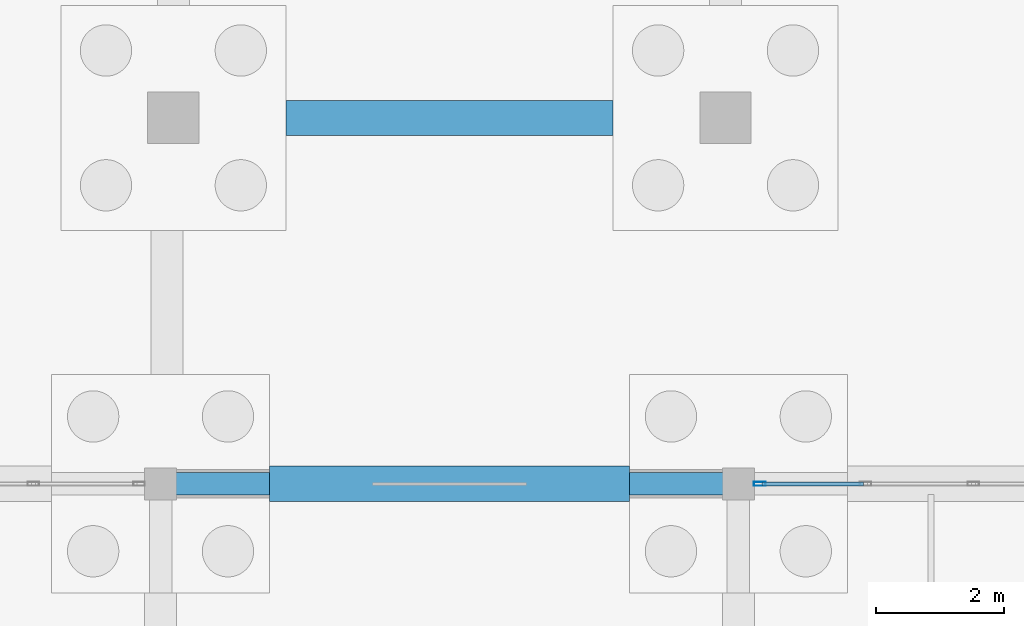
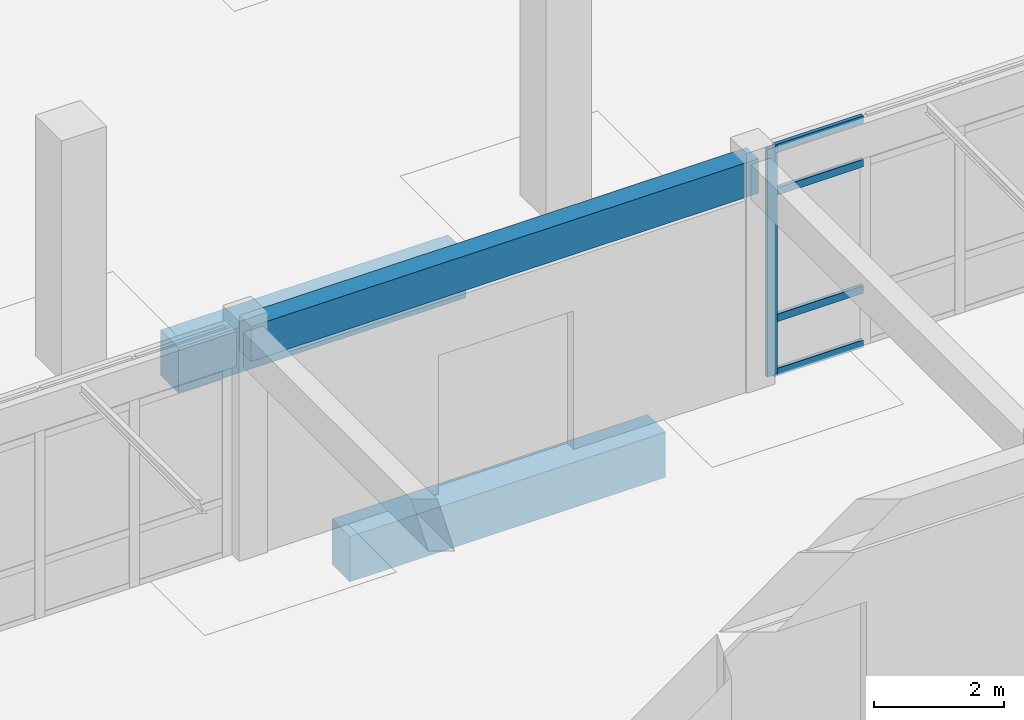
# One storey, part 32 of 186: 5 members, 3 beams, 1 element without a shape of its own.
"""IFC4 building model written with IfcOpenShell, lengths in metres."""

from ifc_helpers import new_model, si_unit, direction, frame, origin, origin_2d, place, context, subcontext, project, spatial, rectangle, hollow_rectangle, extrude, material, layer, layer_set, material_profile, profile_set, type_object, element, aggregate, save


model = new_model("IFC4")

# Units and contexts
model_context = context("Model", 3, precision=1e-05, world=origin(), true_north=direction((0.0, 1.0)))
body_context = subcontext(model_context, "Body", "Model", "MODEL_VIEW")
ifc_project = project(units=[si_unit("LENGTHUNIT", "METRE"), si_unit("AREAUNIT", "SQUARE_METRE"), si_unit("VOLUMEUNIT", "CUBIC_METRE"), si_unit("PLANEANGLEUNIT", "RADIAN"), si_unit("MASSUNIT", "GRAM", prefix="KILO")], contexts=[model_context])

# Site, building, storey
site_placement = place(None, origin())
site = spatial("IfcSite", under=ifc_project, at=site_placement, CompositionType="ELEMENT")
building_placement = place(site_placement, origin())
building = spatial("IfcBuilding", under=site, at=building_placement, Name="Ornek Quay Market", CompositionType="ELEMENT")
storey_placement = place(building_placement, origin())
storey = spatial("IfcBuildingStorey", under=building, at=storey_placement, Name="L00", CompositionType="ELEMENT", Elevation=0.0)

# Beams
ifc_material_1 = material(Name="Concrete C35/45", Category="concrete")
ifc_material_profile_1 = material_profile(ifc_material_1, rectangle(XDim=0.35009765625, YDim=0.64990234375, at=origin_2d()), Name="RC 350x650", Category="concrete")
ifc_profile_set_1 = profile_set([ifc_material_profile_1], Name="Concrete C35/45")
beam_type_1 = type_object("IfcBeamType", Name="BM-CONC-350x650", PredefinedType="BEAM", material=ifc_profile_set_1)
beam_1_placement = place(storey_placement, frame((36.0, 29.0, 3.945068359375), z_axis=(1.0, 0.0, 0.0), x_axis=(0.0, 1.0, 0.0)))
element("IfcBeam", 1, at=beam_1_placement, inside=storey, type_object=beam_type_1, Name="Primary beam B-CN1-068", PredefinedType="BEAM", context=body_context, shape_type="SweptSolid", body=[
    extrude(rectangle(XDim=0.35009765625, YDim=0.64990234375, at=origin_2d()), origin(), (0.0, 0.0, 1.0), 9.0),
])
ifc_material_profile_2 = material_profile(ifc_material_1, rectangle(XDim=0.550048828125, YDim=0.85009765625, at=origin_2d()), Name="RC 550x850", Category="concrete")
ifc_profile_set_2 = profile_set([ifc_material_profile_2], Name="Concrete C35/45")
beam_type_2 = type_object("IfcBeamType", Name="BM-GB-550x850", PredefinedType="BEAM", material=ifc_profile_set_2)
beam_2_placement = place(storey_placement, frame((37.699951171875, 29.0, -0.625), z_axis=(1.0, 0.0, 0.0), x_axis=(0.0, 1.0, 0.0)))
element("IfcBeam", 2, at=beam_2_placement, inside=storey, type_object=beam_type_2, Name="Ground tie beam GB-007", PredefinedType="BEAM", context=body_context, shape_type="SweptSolid", body=[
    extrude(rectangle(XDim=0.550048828125, YDim=0.85009765625, at=origin_2d()), origin(), (0.0, 0.0, 1.0), 5.60009765625),
])
beam_3_placement = place(storey_placement, frame((37.949951171875, 34.699951171875, -0.625), z_axis=(1.0, 0.0, 0.0), x_axis=(0.0, 1.0, 0.0)))
element("IfcBeam", 3, at=beam_3_placement, inside=storey, type_object=beam_type_2, Name="Ground tie beam GB-009", PredefinedType="BEAM", context=body_context, shape_type="SweptSolid", body=[
    extrude(rectangle(XDim=0.550048828125, YDim=0.85009765625, at=origin_2d()), origin(), (0.0, 0.0, 1.0), 5.10009765625),
])

# Curtain wall, members
ifc_material_2 = material(Name="Anodised bronze aluminium and triple low-e glass", Category="aluminium")
ifc_layer = layer(ifc_material_2, 0.199951171875, Name="Anodised bronze aluminium and triple low-e glass", Category="aluminium")
ifc_layer_set = layer_set([ifc_layer], Name="Anodised bronze aluminium and triple low-e glass")
curtain_wall_type = type_object("IfcCurtainWallType", Name="CW-CONC-MOD1800", PredefinedType="USERDEFINED", material=ifc_layer_set)
curtain_wall_placement = place(storey_placement, origin())
curtain_wall = element("IfcCurtainWall", 4, at=curtain_wall_placement, inside=storey, type_object=curtain_wall_type, Name="Curtain wall CW-011", ObjectType="CURTAIN WALL", PredefinedType="USERDEFINED")
ifc_material_3 = material(Name="Anodised aluminium 6063-T6", Category="aluminium")
ifc_material_profile_3 = material_profile(ifc_material_3, hollow_rectangle(XDim=0.06494140625, YDim=0.179931640625, WallThickness=0.00439453125, at=origin_2d()), Name="CW-MUL-65x180", Category="aluminium")
ifc_profile_set_3 = profile_set([ifc_material_profile_3], Name="Anodised aluminium 6063-T6")
member_type_1 = type_object("IfcMemberType", Name="CW-MUL-65x180", PredefinedType="MULLION", material=ifc_profile_set_3)
member_1_placement = place(storey_placement, frame((45.33251953125, 29.0, 0.0), z_axis=(0.0, 0.0, 1.0), x_axis=(0.0, 1.0, 0.0)))
member_1 = element("IfcMember", 5, at=member_1_placement, type_object=member_type_1, Name="CW-011 mullion 1", PredefinedType="MULLION", context=body_context, shape_type="SweptSolid", body=[
    extrude(hollow_rectangle(XDim=0.06494140625, YDim=0.179931640625, WallThickness=0.00439453125, at=origin_2d()), origin(), (0.0, 0.0, 1.0), 4.27001953125),
])
ifc_material_profile_4 = material_profile(ifc_material_3, hollow_rectangle(XDim=0.06494140625, YDim=0.139892578125, WallThickness=0.00439453125, at=origin_2d()), Name="CW-TRN-65x140", Category="aluminium")
ifc_profile_set_4 = profile_set([ifc_material_profile_4], Name="Anodised aluminium 6063-T6")
member_type_2 = type_object("IfcMemberType", Name="CW-TRN-65x140", PredefinedType="USERDEFINED", material=ifc_profile_set_4)
member_2_placement = place(storey_placement, frame((45.364990234375, 29.0, 0.032470703125), z_axis=(1.0, 0.0, 0.0), x_axis=(0.0, 1.0, 0.0)))
member_2 = element("IfcMember", 6, at=member_2_placement, type_object=member_type_2, Name="CW-011 transom 1.1", ObjectType="TRANSOM", PredefinedType="USERDEFINED", context=body_context, shape_type="SweptSolid", body=[
    extrude(hollow_rectangle(XDim=0.06494140625, YDim=0.139892578125, WallThickness=0.00439453125, at=origin_2d()), origin(), (0.0, 0.0, 1.0), 1.58251953125),
])
member_3_placement = place(storey_placement, frame((45.364990234375, 29.0, 1.050048828125), z_axis=(1.0, 0.0, 0.0), x_axis=(0.0, 1.0, 0.0)))
member_3 = element("IfcMember", 7, at=member_3_placement, type_object=member_type_2, Name="CW-011 transom 1.2", ObjectType="TRANSOM", PredefinedType="USERDEFINED", context=body_context, shape_type="SweptSolid", body=[
    extrude(hollow_rectangle(XDim=0.06494140625, YDim=0.139892578125, WallThickness=0.00439453125, at=origin_2d()), origin(), (0.0, 0.0, 1.0), 1.58251953125),
])
member_4_placement = place(storey_placement, frame((45.364990234375, 29.0, 3.419921875), z_axis=(1.0, 0.0, 0.0), x_axis=(0.0, 1.0, 0.0)))
member_4 = element("IfcMember", 8, at=member_4_placement, type_object=member_type_2, Name="CW-011 transom 1.3", ObjectType="TRANSOM", PredefinedType="USERDEFINED", context=body_context, shape_type="SweptSolid", body=[
    extrude(hollow_rectangle(XDim=0.06494140625, YDim=0.139892578125, WallThickness=0.00439453125, at=origin_2d()), origin(), (0.0, 0.0, 1.0), 1.58251953125),
])
member_5_placement = place(storey_placement, frame((45.364990234375, 29.0, 4.237548828125), z_axis=(1.0, 0.0, 0.0), x_axis=(0.0, 1.0, 0.0)))
member_5 = element("IfcMember", 9, at=member_5_placement, type_object=member_type_2, Name="CW-011 transom 1.4", ObjectType="TRANSOM", PredefinedType="USERDEFINED", context=body_context, shape_type="SweptSolid", body=[
    extrude(hollow_rectangle(XDim=0.06494140625, YDim=0.139892578125, WallThickness=0.00439453125, at=origin_2d()), origin(), (0.0, 0.0, 1.0), 1.58251953125),
])
aggregate(curtain_wall, [member_1, member_2, member_3, member_4, member_5])

save(model, "model.ifc")
